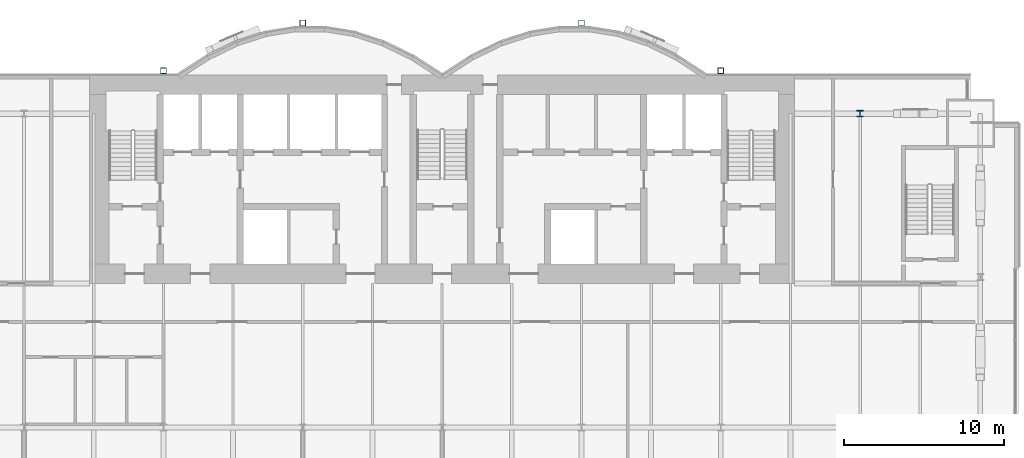
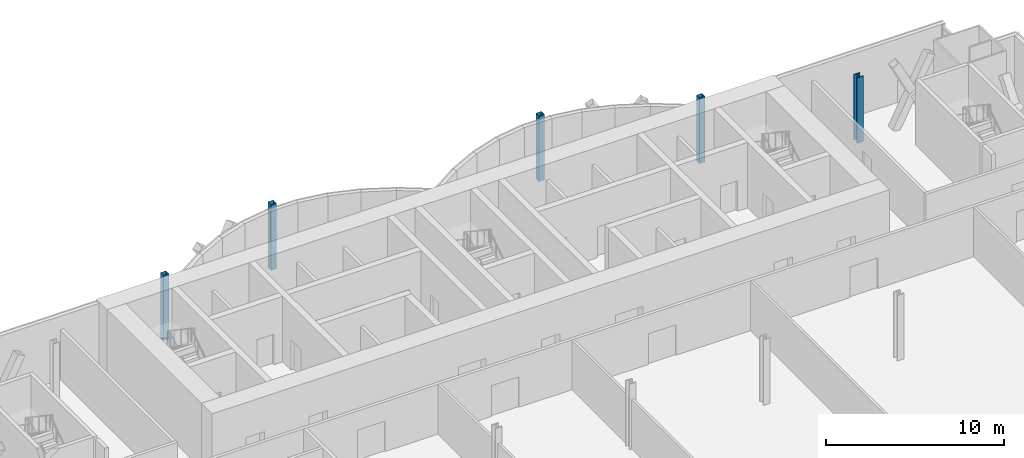
# One storey, part 2 of 22: 5 columns.
"""IFC4 building model written with IfcOpenShell, lengths in metres."""

from ifc_helpers import new_model, si_unit, direction, frame, origin, origin_2d, place, context, subcontext, project, spatial, hollow_rectangle, i_section, extrude, material, material_profile, profile_set, type_object, element, save


model = new_model("IFC4")

# Units and contexts
model_context = context("Model", 3, precision=1e-05, world=origin(), true_north=direction((0.0, 1.0)))
body_context = subcontext(model_context, "Body", "Model", "MODEL_VIEW")
ifc_project = project(units=[si_unit("LENGTHUNIT", "METRE"), si_unit("AREAUNIT", "SQUARE_METRE"), si_unit("VOLUMEUNIT", "CUBIC_METRE"), si_unit("PLANEANGLEUNIT", "RADIAN"), si_unit("MASSUNIT", "GRAM", prefix="KILO")], contexts=[model_context])

# Site, building, storey
site_placement = place(None, origin())
site = spatial("IfcSite", under=ifc_project, at=site_placement, CompositionType="ELEMENT")
building_placement = place(site_placement, origin())
building = spatial("IfcBuilding", under=site, at=building_placement, Name="Bicima Exchange Tower", CompositionType="ELEMENT")
storey_placement = place(building_placement, frame((0.0, 0.0, 39.5)))
storey = spatial("IfcBuildingStorey", under=building, at=storey_placement, Name="L07", CompositionType="ELEMENT", Elevation=39.5)

# Columns
ifc_material_1 = material(Name="Steel ASTM A992 Gr 50", Category="steel")
ifc_material_profile_1 = material_profile(ifc_material_1, i_section(OverallWidth=0.406494140625, OverallDepth=0.41650390625, WebThickness=0.030029296875, FlangeThickness=0.048095703125, at=origin_2d()))
ifc_profile_set_1 = profile_set([ifc_material_profile_1], Name="Steel ASTM A992 Gr 50")
column_type_1 = type_object("IfcColumnType", Name="Perimeter column W14x257", PredefinedType="COLUMN", material=ifc_profile_set_1)
column_placement = place(storey_placement, frame((26.10009765625, -2.39990234375, 0.0), z_axis=(0.0, 0.0, 1.0), x_axis=(1.0, 0.0, 0.0)))
element("IfcColumn", 1, at=column_placement, inside=storey, type_object=column_type_1, Name="Perimeter column grav+26.1r", PredefinedType="COLUMN", context=body_context, shape_type="SweptSolid", body=[
    extrude(i_section(OverallWidth=0.406494140625, OverallDepth=0.41650390625, WebThickness=0.030029296875, FlangeThickness=0.048095703125, at=origin_2d()), origin(), (0.0, 0.0, 1.0), 4.5),
])
ifc_material_2 = material(Name="Steel ASTM A572 Gr 50", Category="steel")
ifc_material_profile_2 = material_profile(ifc_material_2, hollow_rectangle(XDim=0.355712890625, YDim=0.355712890625, WallThickness=0.01171875, at=origin_2d()))
ifc_profile_set_2 = profile_set([ifc_material_profile_2], Name="Steel ASTM A572 Gr 50")
column_type_2 = type_object("IfcColumnType", Name="Rear pilaster HSS14x14x1/2", PredefinedType="COLUMN", material=ifc_profile_set_2)
for number, where, z_axis, x_axis, name in (
    (2, (-8.699951171875, 3.26904296875, 0.0), (0.0, 0.0, 1.0), (1.0, 0.0, 0.0), "Rear pilaster rexo-8.7r"),
    (3, (-17.39990234375, 0.278076171875, 0.0), (0.0, 0.0, 1.0), (1.0, 0.0, 0.0), "Rear pilaster rexo-17.4r"),
    (4, (8.699951171875, 3.26904296875, 0.0), (0.0, 0.0, 1.0), (1.0, 0.0, 0.0), "Rear pilaster rexo+8.7r"),
    (5, (17.39990234375, 0.278076171875, 0.0), (0.0, 0.0, 1.0), (1.0, 0.0, 0.0), "Rear pilaster rexo+17.4r"),
):
    element("IfcColumn", number, at=place(storey_placement, frame(where, z_axis=z_axis, x_axis=x_axis)), inside=storey, type_object=column_type_2, Name=name, PredefinedType="COLUMN", context=body_context, shape_type="SweptSolid", body=[
        extrude(hollow_rectangle(XDim=0.355712890625, YDim=0.355712890625, WallThickness=0.01171875, at=origin_2d()), origin(), (0.0, 0.0, 1.0), 4.5),
    ])

save(model, "model.ifc")
